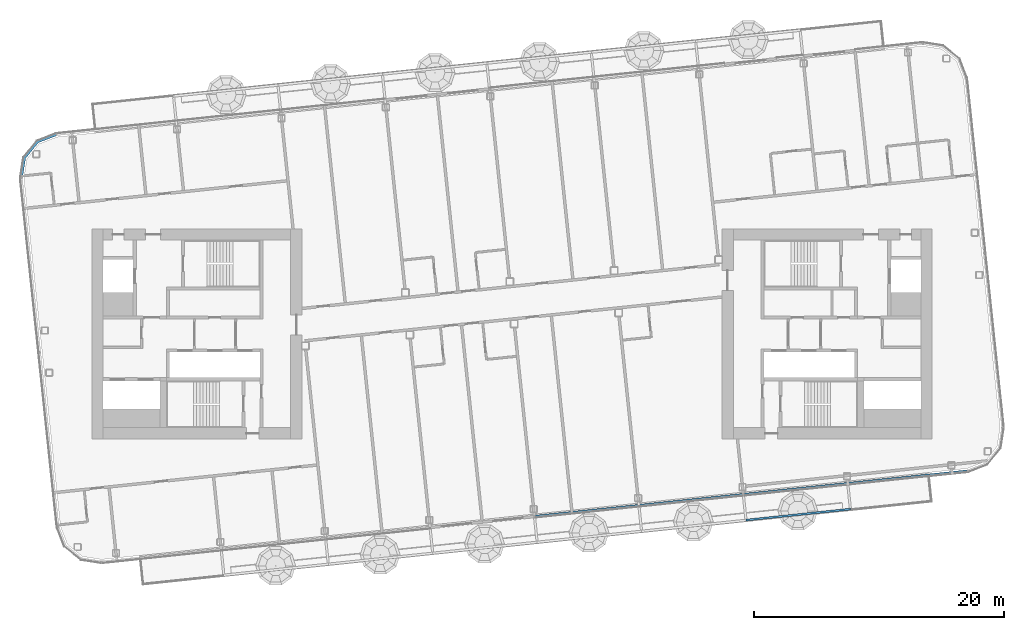
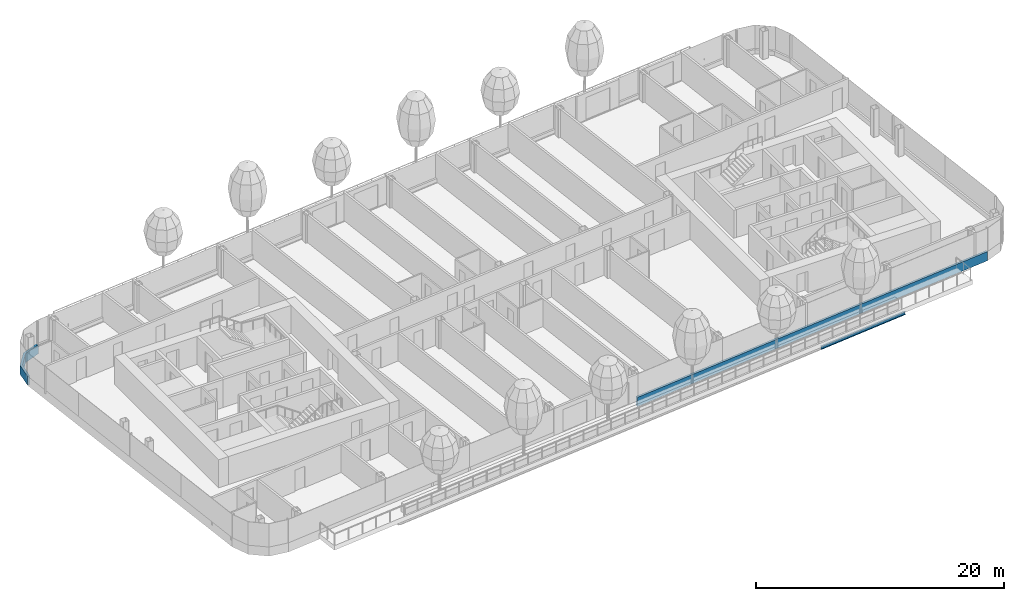
# One storey, part 6 of 29: 2 members, 1 beam, 2 elements without a shape of their own.
"""IFC4 building model written with IfcOpenShell, lengths in metres."""

import ifcopenshell
import ifcopenshell.guid

model = None  # the IFC model being written
_history = None  # IfcOwnerHistory: only IFC2X3 demands one
_inside = {}  # id of a spatial element -> (the spatial element, [elements in it])
_under = {}  # id of a project, library or spatial element -> (it, [spatial elements below it])
_declared = {}  # id of a project -> (the project, [libraries it declares])
_typed = {}  # id of a type object -> (the type object, [elements of that type])
_made_of = {}  # id of a material, layer set ... -> (it, [elements and type objects made of it])


def new_model(schema):
    """Start an empty IFC model of exactly this schema.

    Asked for "IFC4X3", IfcOpenShell would pick the latest addendum, in which some entities
    have other attributes; the version numbers below select the first issue.
    IFC2X3 requires an IfcOwnerHistory on every rooted entity: one is made here for all.
    """
    global model, _history
    if schema == "IFC4X3":
        model = ifcopenshell.file(schema_version=(4, 3, 0, 0))
    else:
        model = ifcopenshell.file(schema=schema)
    _inside.clear()
    _under.clear()
    _declared.clear()
    _typed.clear()
    _made_of.clear()
    _history = None
    if model.schema == "IFC2X3":
        org = make("IfcOrganization", Name="unknown")
        user = make(
            "IfcPersonAndOrganization",
            ThePerson=make("IfcPerson", FamilyName="unknown"),
            TheOrganization=org,
        )
        app = make(
            "IfcApplication",
            ApplicationDeveloper=org,
            Version="unknown",
            ApplicationFullName="unknown",
            ApplicationIdentifier="unknown",
        )
        _history = make(
            "IfcOwnerHistory",
            OwningUser=user,
            OwningApplication=app,
            ChangeAction="ADDED",
            CreationDate=0,
        )
    return model


def make(cls, **values):
    """One entity of the class cls with the attributes given. An attribute that is None is left unset."""
    return model.create_entity(
        cls, **{name: value for name, value in values.items() if value is not None}
    )


def rooted(cls, **values):
    """An entity with a GlobalId (a new one), such as an element, a storey or a relation."""
    return make(cls, GlobalId=ifcopenshell.guid.new(), OwnerHistory=_history, **values)


def si_unit(unit_type, name, prefix=None):
    """IfcSIUnit, for example si_unit("LENGTHUNIT", "METRE", prefix="MILLI")."""
    return make("IfcSIUnit", UnitType=unit_type, Prefix=prefix, Name=name)


def assignment(units):
    """IfcUnitAssignment: the units of a project."""
    return None if units is None else make("IfcUnitAssignment", Units=units)


def point(xyz):
    """IfcCartesianPoint."""
    return None if xyz is None else make("IfcCartesianPoint", Coordinates=xyz)


def direction(xyz):
    """IfcDirection."""
    return None if xyz is None else make("IfcDirection", DirectionRatios=xyz)


def frame(location, z_axis=None, x_axis=None):
    """IfcAxis2Placement3D, a coordinate frame: its origin and axes. An axis left out is left unset."""
    return make(
        "IfcAxis2Placement3D",
        Location=point(location),
        Axis=direction(z_axis),
        RefDirection=direction(x_axis),
    )


def frame_2d(location, x_axis=None):
    """IfcAxis2Placement2D, a coordinate frame in the plane: its origin and x axis."""
    return make(
        "IfcAxis2Placement2D", Location=point(location), RefDirection=direction(x_axis)
    )


def origin():
    """The frame at (0, 0, 0) with its axes left unset."""
    return frame((0.0, 0.0, 0.0))


def origin_2d():
    """The frame at (0, 0) in the plane with its x axis left unset."""
    return frame_2d((0.0, 0.0))


def place(relative_to, where):
    """IfcLocalPlacement: puts the frame where relative to a parent placement (None: the world)."""
    return make(
        "IfcLocalPlacement", PlacementRelTo=relative_to, RelativePlacement=where
    )


def context(
    kind, dimensions, precision=None, world=None, true_north=None, identifier=None
):
    """IfcGeometricRepresentationContext, for example the 3D "Model" context."""
    return make(
        "IfcGeometricRepresentationContext",
        ContextIdentifier=identifier,
        ContextType=kind,
        CoordinateSpaceDimension=dimensions,
        Precision=precision,
        WorldCoordinateSystem=world,
        TrueNorth=true_north,
    )


def subcontext(parent, identifier, kind, view, scale=None):
    """IfcGeometricRepresentationSubContext, for example "Body" below "Model"."""
    return make(
        "IfcGeometricRepresentationSubContext",
        ContextIdentifier=identifier,
        ContextType=kind,
        ParentContext=parent,
        TargetScale=scale,
        TargetView=view,
    )


def project(units=None, contexts=None):
    """IfcProject with its units and contexts."""
    return rooted(
        "IfcProject",
        Name="project",
        RepresentationContexts=contexts,
        UnitsInContext=assignment(units),
    )


def spatial(cls, under=None, at=None, **own):
    """A site, building, storey or space (cls), placed at a placement, below another one or the project."""
    s = rooted(cls, ObjectPlacement=at, **own)
    if under is not None:
        _under.setdefault(under.id(), (under, []))[1].append(s)
    return s


def polyline(points):
    """IfcPolyline through the points."""
    return make("IfcPolyline", Points=[point(p) for p in points])


def profile(cls, at=None, kind="AREA", **sizes):
    """A parametric profile (cls). Its sizes go by their IFC names, for example OverallWidth=200.0."""
    return make(cls, ProfileType=kind, Position=at, **sizes)


def rectangle(**sizes):
    """IfcRectangleProfileDef."""
    return profile("IfcRectangleProfileDef", **sizes)


def i_section(**sizes):
    """IfcIShapeProfileDef."""
    return profile("IfcIShapeProfileDef", **sizes)


def outline(outer, holes=None, kind="AREA"):
    """IfcArbitraryClosedProfileDef: a profile drawn as a closed curve; with holes, ...WithVoids."""
    if holes is None:
        return make("IfcArbitraryClosedProfileDef", ProfileType=kind, OuterCurve=outer)
    return make(
        "IfcArbitraryProfileDefWithVoids",
        ProfileType=kind,
        OuterCurve=outer,
        InnerCurves=holes,
    )


def extrude(swept, where, along, depth):
    """IfcExtrudedAreaSolid: the profile swept, set in the frame where, extruded along a direction by depth."""
    return make(
        "IfcExtrudedAreaSolid",
        SweptArea=swept,
        Position=where,
        ExtrudedDirection=direction(along),
        Depth=depth,
    )


def shape(context_of_items, identifier, shape_type, items):
    """IfcShapeRepresentation: the items that make up one representation, for example the "Body"."""
    return make(
        "IfcShapeRepresentation",
        ContextOfItems=context_of_items,
        RepresentationIdentifier=identifier,
        RepresentationType=shape_type,
        Items=items,
    )


def material(Name=None, Category=None):
    """IfcMaterial."""
    return make("IfcMaterial", Name=Name, Category=Category)


def layer(
    of_material, thickness, ventilated=None, Name=None, Category=None, Priority=None
):
    """IfcMaterialLayer: one layer of a wall or slab, of a material (None: an air gap)."""
    return make(
        "IfcMaterialLayer",
        Material=of_material,
        LayerThickness=thickness,
        IsVentilated=ventilated,
        Name=Name,
        Category=Category,
        Priority=Priority,
    )


def layer_set(layers, Name=None):
    """IfcMaterialLayerSet."""
    return make("IfcMaterialLayerSet", MaterialLayers=layers, LayerSetName=Name)


def material_profile(
    of_material, cross_section, Name=None, Category=None, Priority=None
):
    """IfcMaterialProfile: a cross section and its material."""
    return make(
        "IfcMaterialProfile",
        Name=Name,
        Material=of_material,
        Profile=cross_section,
        Priority=Priority,
        Category=Category,
    )


def profile_set(profiles, Name=None, composite=None):
    """IfcMaterialProfileSet."""
    return make(
        "IfcMaterialProfileSet",
        Name=Name,
        MaterialProfiles=profiles,
        CompositeProfile=composite,
    )


def made_of(thing, what):
    """Note that an element or type object is made of a material, layer set ...; save() writes the relation."""
    if what is not None:
        _made_of.setdefault(what.id(), (what, []))[1].append(thing)
    return thing


def type_object(cls, material=None, **own):
    """A type object (cls), such as IfcWallType, which elements share."""
    return made_of(rooted(cls, **own), material)


def element(
    cls,
    number,
    at=None,
    inside=None,
    cuts=None,
    type_object=None,
    material=None,
    context=None,
    identifier="Body",
    shape_type=None,
    held_by="IfcProductDefinitionShape",
    body=None,
    shapes=None,
    **own,
):
    """One element of the class cls, such as IfcWall. Its Tag is "e" and its number.

    at: its placement. inside: the storey or other place that contains it. cuts: it is an
    opening in that element (IfcRelVoidsElement). A single representation is given by context,
    identifier, shape_type and body (its items); several are given by shapes. held_by: the class
    of the entity that holds the representations. save() writes the other relations.
    """
    e = rooted(cls, Tag="e%d" % number, ObjectPlacement=at, **own)
    if body is not None:
        shapes = [shape(context, identifier, shape_type, body)]
    if shapes is not None:
        e.Representation = make(held_by, Representations=shapes)
    if inside is not None:
        _inside.setdefault(inside.id(), (inside, []))[1].append(e)
    if cuts is not None:
        rooted(
            "IfcRelVoidsElement", RelatingBuildingElement=cuts, RelatedOpeningElement=e
        )
    if type_object is not None:
        _typed.setdefault(type_object.id(), (type_object, []))[1].append(e)
    return made_of(e, material)


def aggregate(whole, parts):
    """IfcRelAggregates: a whole, such as a stair, and the parts it consists of."""
    return rooted("IfcRelAggregates", RelatingObject=whole, RelatedObjects=parts)


def save(model, path):
    """Write the relations noted so far, then the file.

    IfcRelAggregates (storeys below a building ...), IfcRelContainedInSpatialStructure (elements
    in a storey), IfcRelDefinesByType, IfcRelAssociatesMaterial and IfcRelDeclares: one each for
    every whole, place, type object, material and project.
    """
    for whole, parts in _under.values():
        aggregate(whole, parts)
    for where, things in _inside.values():
        rooted(
            "IfcRelContainedInSpatialStructure",
            RelatedElements=things,
            RelatingStructure=where,
        )
    for kind, things in _typed.values():
        rooted("IfcRelDefinesByType", RelatedObjects=things, RelatingType=kind)
    for what, things in _made_of.values():
        rooted("IfcRelAssociatesMaterial", RelatedObjects=things, RelatingMaterial=what)
    for by, libraries in _declared.values():
        rooted("IfcRelDeclares", RelatingContext=by, RelatedDefinitions=libraries)
    model.write(path)


model = new_model("IFC4")

# Units and contexts
model_context = context("Model", 3, precision=1e-05, world=origin(), true_north=direction((0.0, 1.0)))
body_context = subcontext(model_context, "Body", "Model", "MODEL_VIEW")
ifc_project = project(units=[si_unit("LENGTHUNIT", "METRE"), si_unit("AREAUNIT", "SQUARE_METRE"), si_unit("VOLUMEUNIT", "CUBIC_METRE"), si_unit("PLANEANGLEUNIT", "RADIAN"), si_unit("MASSUNIT", "GRAM", prefix="KILO")], contexts=[model_context])

# Site, building, storey
site_placement = place(None, origin())
site = spatial("IfcSite", under=ifc_project, at=site_placement, CompositionType="ELEMENT")
building_placement = place(site_placement, origin())
building = spatial("IfcBuilding", under=site, at=building_placement, Name="Hakoniwa Tower and Hamabe Station Hall", CompositionType="ELEMENT")
storey_placement = place(building_placement, frame((0.0, 0.0, 258.199951171875)))
storey = spatial("IfcBuildingStorey", under=building, at=storey_placement, Name="L73", CompositionType="ELEMENT", Elevation=258.199951171875)

# Beam
ifc_material_1 = material(Name="Steel SN490B", Category="steel")
ifc_material_profile_1 = material_profile(ifc_material_1, i_section(OverallWidth=0.14990234375, OverallDepth=0.300048828125, WebThickness=0.006591796875, FlangeThickness=0.009033203125, FilletRadius=0.012939453125, at=origin_2d()), Name="H-300x150x6.5x9")
ifc_profile_set_1 = profile_set([ifc_material_profile_1], Name="Steel SN490B")
beam_type = type_object("IfcBeamType", Name="BALCONY EDGE BEAM H-300x150x6.5x9", PredefinedType="BEAM", material=ifc_profile_set_1)
beam_placement = place(storey_placement, frame((18.72021484375, -14.888427734375, -0.599853515625), z_axis=(0.994523275226, 0.104515333968, 0.0), x_axis=(-0.104515333968, 0.994523275226, 0.0)))
element("IfcBeam", 1, at=beam_placement, inside=storey, type_object=beam_type, Name="Balcony edge beam B5-9-A5-B5-10-A5", PredefinedType="BEAM", context=body_context, shape_type="SweptSolid", body=[
    extrude(i_section(OverallWidth=0.14990234375, OverallDepth=0.300048828125, WebThickness=0.006591796875, FlangeThickness=0.009033203125, FilletRadius=0.012939453125, at=origin_2d()), origin(), (0.0, 0.0, 1.0), 8.39990234375),
])

# Curtain wall, member
ifc_material_2 = material(Name="Dark low-e laminated glass", Category="glass")
ifc_layer = layer(ifc_material_2, 0.199951171875)
ifc_layer_set = layer_set([ifc_layer], Name="CW-1 UNITISED GUEST")
curtain_wall_type = type_object("IfcCurtainWallType", Name="CW-1 UNITISED GUEST", PredefinedType="NOTDEFINED", material=ifc_layer_set)
curtain_wall_1_placement = place(storey_placement, origin())
curtain_wall_1 = element("IfcCurtainWall", 2, at=curtain_wall_1_placement, inside=storey, type_object=curtain_wall_type, Name="CW-1 curtain wall", PredefinedType="NOTDEFINED")
ifc_material_3 = material(Name="Aluminium 6063-T5 black anodised", Category="aluminium")
ifc_material_profile_2 = material_profile(ifc_material_3, rectangle(XDim=0.199951171875, YDim=0.89990234375, at=origin_2d()), Name="CW SLAB-EDGE BAND 900X200")
ifc_profile_set_2 = profile_set([ifc_material_profile_2], Name="Aluminium 6063-T5 black anodised")
member_type = type_object("IfcMemberType", Name="CW SLAB-EDGE BAND 900X200", PredefinedType="USERDEFINED", material=ifc_profile_set_2)
member_1_placement = place(storey_placement, frame((0.0, 0.0, -0.550048828125)))
member_1 = element("IfcMember", 3, at=member_1_placement, type_object=member_type, Name="CW-1 transom", ObjectType="TRANSOM", PredefinedType="USERDEFINED", context=body_context, shape_type="SweptSolid", body=[
    extrude(outline(polyline([(-36.45703125, 16.0634765625), (-38.0185546875, 15.464111328125), (-39.09716796875, 14.13232421875), (-39.35888671875, 12.47998046875), (-39.161376953125, 12.44873046875), (-38.907958984375, 14.048095703125), (-37.89697265625, 15.296630859375), (-36.38525390625, 15.876708984375), (-36.45703125, 16.0634765625)])), origin(), (0.0, 0.0, 1.0), 0.900146484375),
])
aggregate(curtain_wall_1, [member_1])

curtain_wall_2_placement = place(storey_placement, origin())
curtain_wall_2 = element("IfcCurtainWall", 4, at=curtain_wall_2_placement, inside=storey, type_object=curtain_wall_type, Name="CW-1 curtain wall", PredefinedType="NOTDEFINED")
member_2_placement = place(storey_placement, frame((1.73828125, -14.612060546875, -0.099853515625), z_axis=(0.994521999802, 0.104527469638, 0.0), x_axis=(-0.104527469638, 0.994521999802, 0.0)))
member_2 = element("IfcMember", 5, at=member_2_placement, type_object=member_type, Name="CW-1 transom", ObjectType="TRANSOM", PredefinedType="USERDEFINED", context=body_context, shape_type="SweptSolid", body=[
    extrude(rectangle(XDim=0.199951171875, YDim=0.89990234375, at=origin_2d()), origin(), (0.0, 0.0, 1.0), 34.8994140625),
])
aggregate(curtain_wall_2, [member_2])

save(model, "model.ifc")
